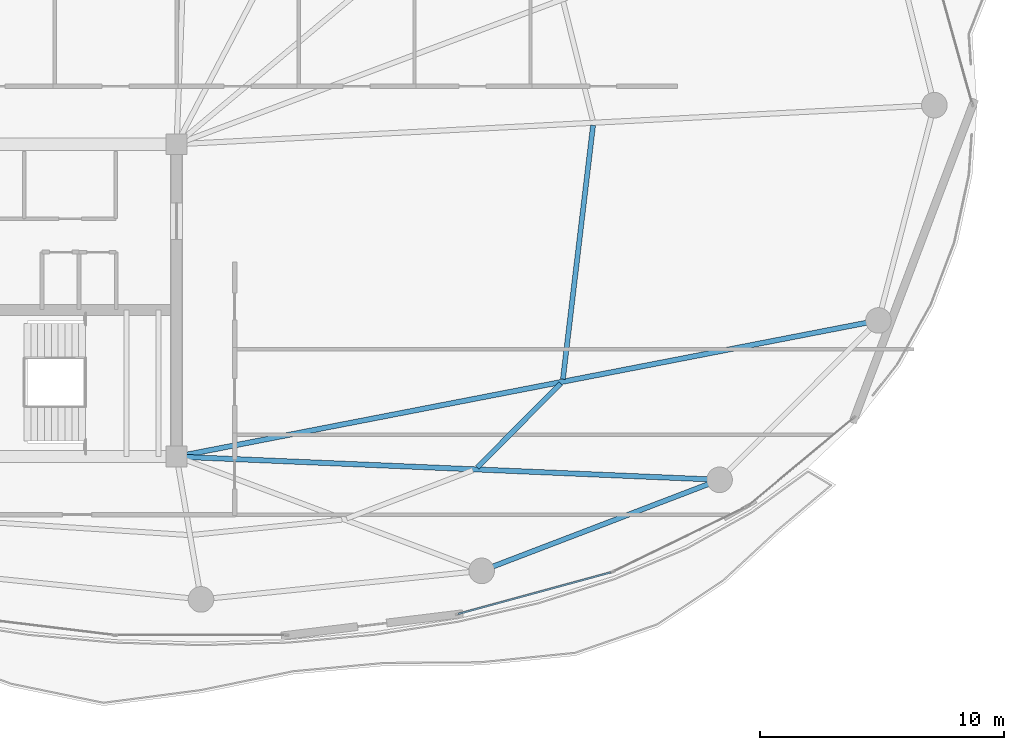
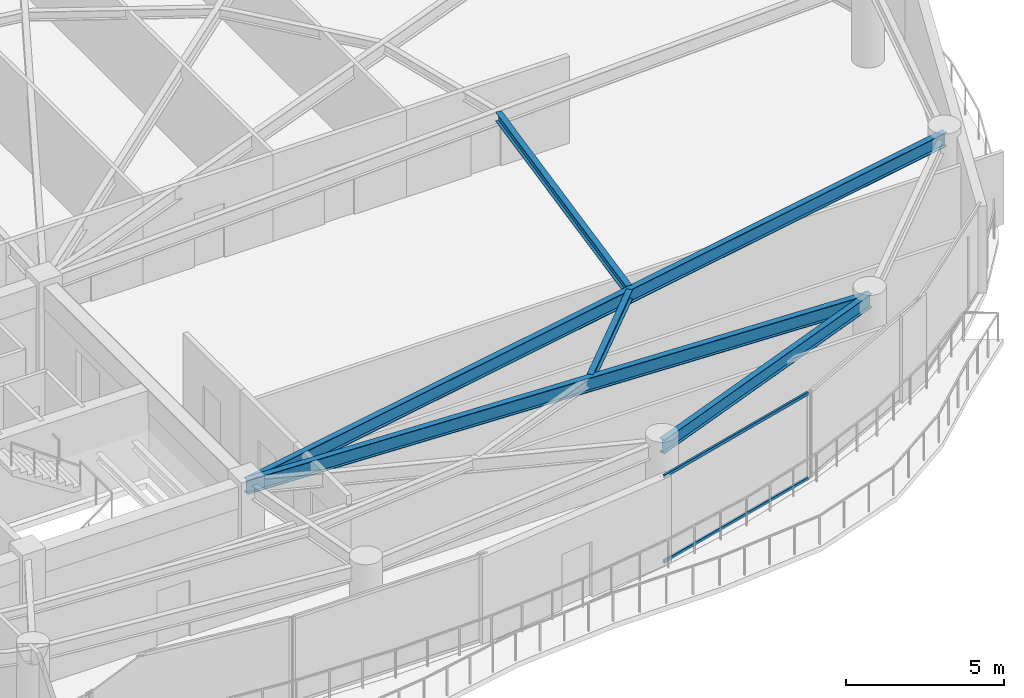
# One storey, part 11 of 28: 5 beams, 2 members, 1 element without a shape of its own.
"""IFC4 building model written with IfcOpenShell, lengths in metres."""

from ifc_helpers import new_model, si_unit, direction, frame, origin, origin_2d, place, context, subcontext, project, spatial, hollow_rectangle, i_section, extrude, material, layer, layer_set, material_profile, profile_set, type_object, element, aggregate, save


model = new_model("IFC4")

# Units and contexts
model_context = context("Model", 3, precision=1e-05, world=origin(), true_north=direction((0.0, 1.0)))
body_context = subcontext(model_context, "Body", "Model", "MODEL_VIEW")
ifc_project = project(units=[si_unit("LENGTHUNIT", "METRE"), si_unit("AREAUNIT", "SQUARE_METRE"), si_unit("VOLUMEUNIT", "CUBIC_METRE"), si_unit("PLANEANGLEUNIT", "RADIAN"), si_unit("MASSUNIT", "GRAM", prefix="KILO")], contexts=[model_context])

# Site, building, storey
site_placement = place(None, origin())
site = spatial("IfcSite", under=ifc_project, at=site_placement, CompositionType="ELEMENT")
building_placement = place(site_placement, origin())
building = spatial("IfcBuilding", under=site, at=building_placement, Name="Kazevale Care Tower and Concert Hall", CompositionType="ELEMENT")
storey_placement = place(building_placement, frame((0.0, 0.0, 228.0)))
storey = spatial("IfcBuildingStorey", under=building, at=storey_placement, Name="L60", CompositionType="ELEMENT", Elevation=228.0)

# Curtain wall, members
ifc_material_1 = material(Name="Aluminium 6063-T6 and Low-E Glass", Category="aluminium")
ifc_layer = layer(ifc_material_1, 0.179931640625)
ifc_layer_set = layer_set([ifc_layer], Name="Aluminium 6063-T6 and Low-E Glass")
curtain_wall_type = type_object("IfcCurtainWallType", Name="Sheltered Concave Balcony Curtain Wall CW-5", PredefinedType="NOTDEFINED", material=ifc_layer_set)
curtain_wall_placement = place(storey_placement, origin())
curtain_wall = element("IfcCurtainWall", 1, at=curtain_wall_placement, inside=storey, type_object=curtain_wall_type, Name="cw:L60:f04", PredefinedType="NOTDEFINED")
ifc_material_2 = material(Name="Aluminium 6063-T6", Category="aluminium")
ifc_material_profile_1 = material_profile(ifc_material_2, hollow_rectangle(XDim=0.074951171875, YDim=0.1201171875, WallThickness=0.00390625, at=origin_2d()), Name="ALU75x120x4")
ifc_profile_set_1 = profile_set([ifc_material_profile_1], Name="Aluminium 6063-T6")
member_type = type_object("IfcMemberType", Name="CW-5 Transom ALU75x120x4", PredefinedType="USERDEFINED", material=ifc_profile_set_1)
member_1_placement = place(storey_placement, frame((61.78369140625, 18.853271484375, 0.03759765625), z_axis=(-0.964843890632, -0.262823641842, 0.0), x_axis=(0.262823641842, -0.964843890632, 0.0)))
member_1 = element("IfcMember", 2, at=member_1_placement, type_object=member_type, Name="CW-5 transom 1.1", ObjectType="TRANSOM", PredefinedType="USERDEFINED", context=body_context, shape_type="SweptSolid", body=[
    extrude(hollow_rectangle(XDim=0.074951171875, YDim=0.1201171875, WallThickness=0.00390625, at=origin_2d()), origin(), (0.0, 0.0, 1.0), 6.469970703125),
])
member_2_placement = place(storey_placement, frame((61.78369140625, 18.853271484375, 3.322509765625), z_axis=(-0.964843890632, -0.262823641842, 0.0), x_axis=(0.262823641842, -0.964843890632, 0.0)))
member_2 = element("IfcMember", 3, at=member_2_placement, type_object=member_type, Name="CW-5 transom 1.2", ObjectType="TRANSOM", PredefinedType="USERDEFINED", context=body_context, shape_type="SweptSolid", body=[
    extrude(hollow_rectangle(XDim=0.074951171875, YDim=0.1201171875, WallThickness=0.00390625, at=origin_2d()), origin(), (0.0, 0.0, 1.0), 6.469970703125),
])
aggregate(curtain_wall, [member_1, member_2])

# Beams
ifc_material_3 = material(Name="Steel ASTM A572 Gr 50", Category="steel")
ifc_material_profile_2 = material_profile(ifc_material_3, i_section(OverallWidth=0.2119140625, OverallDepth=0.5439453125, WebThickness=0.01318359375, FlangeThickness=0.021240234375, at=origin_2d()), Name="W530x123")
ifc_profile_set_2 = profile_set([ifc_material_profile_2], Name="Steel ASTM A572 Gr 50")
beam_type_1 = type_object("IfcBeamType", Name="Radial Floor Girder W530x123", PredefinedType="BEAM", material=ifc_profile_set_2)
beam_1_placement = place(storey_placement, frame((44.0, 23.60009765625, 3.087890625), z_axis=(0.999089369477, -0.042666518456, 0.0), x_axis=(0.042666518456, 0.999089369477, 0.0)))
element("IfcBeam", 4, at=beam_1_placement, inside=storey, type_object=beam_type_1, Name="beam:L60:rad:15", PredefinedType="BEAM", context=body_context, shape_type="SweptSolid", body=[
    extrude(i_section(OverallWidth=0.2119140625, OverallDepth=0.5439453125, WebThickness=0.01318359375, FlangeThickness=0.021240234375, at=origin_2d()), origin(), (0.0, 0.0, 1.0), 22.270263671875),
])
beam_2_placement = place(storey_placement, frame((44.0, 23.60009765625, 3.087890625), z_axis=(0.981694544574, 0.190462125247, 0.0), x_axis=(-0.190462125247, 0.981694544574, 0.0)))
element("IfcBeam", 5, at=beam_2_placement, inside=storey, type_object=beam_type_1, Name="beam:L60:rad:16", PredefinedType="BEAM", context=body_context, shape_type="SweptSolid", body=[
    extrude(i_section(OverallWidth=0.2119140625, OverallDepth=0.5439453125, WebThickness=0.01318359375, FlangeThickness=0.021240234375, at=origin_2d()), origin(), (0.0, 0.0, 1.0), 29.29638671875),
])
ifc_material_profile_3 = material_profile(ifc_material_3, i_section(OverallWidth=0.205078125, OverallDepth=0.35400390625, WebThickness=0.009521484375, FlangeThickness=0.016845703125, at=origin_2d()), Name="W360x79")
ifc_profile_set_3 = profile_set([ifc_material_profile_3], Name="Steel ASTM A572 Gr 50")
beam_type_2 = type_object("IfcBeamType", Name="Secondary Floor Joist W360x79", PredefinedType="JOIST", material=ifc_profile_set_3)
beam_3_placement = place(storey_placement, frame((56.31201171875, 23.152099609375, 3.18310546875), z_axis=(0.705975874919, 0.708235881633, 0.0), x_axis=(-0.708235881633, 0.705975874919, 0.0)))
element("IfcBeam", 6, at=beam_3_placement, inside=storey, type_object=beam_type_2, Name="beam:L60:joist:15", PredefinedType="JOIST", context=body_context, shape_type="SweptSolid", body=[
    extrude(i_section(OverallWidth=0.205078125, OverallDepth=0.35400390625, WebThickness=0.009521484375, FlangeThickness=0.016845703125, at=origin_2d()), origin(), (0.0, 0.0, 1.0), 4.861083984375),
])
beam_4_placement = place(storey_placement, frame((59.830078125, 26.77294921875, 3.18310546875), z_axis=(0.117874218468, 0.993028533639, 0.0), x_axis=(-0.993028533639, 0.117874218468, 0.0)))
element("IfcBeam", 7, at=beam_4_placement, inside=storey, type_object=beam_type_2, Name="beam:L60:joist:16", PredefinedType="JOIST", context=body_context, shape_type="SweptSolid", body=[
    extrude(i_section(OverallWidth=0.205078125, OverallDepth=0.35400390625, WebThickness=0.009521484375, FlangeThickness=0.016845703125, at=origin_2d()), origin(), (0.0, 0.0, 1.0), 10.47607421875),
])
ifc_material_profile_4 = material_profile(ifc_material_3, i_section(OverallWidth=0.208984375, OverallDepth=0.532958984375, WebThickness=0.01025390625, FlangeThickness=0.015625, at=origin_2d()), Name="W530x92")
ifc_profile_set_4 = profile_set([ifc_material_profile_4], Name="Steel ASTM A572 Gr 50")
beam_type_3 = type_object("IfcBeamType", Name="Upper Ring Beam W530x92", PredefinedType="BEAM", material=ifc_profile_set_4)
beam_5_placement = place(storey_placement, frame((56.5, 18.919921875, 3.093505859375), z_axis=(0.933986653173, 0.357307894811, 0.0), x_axis=(-0.357307894811, 0.933986653173, 0.0)))
element("IfcBeam", 8, at=beam_5_placement, inside=storey, type_object=beam_type_3, Name="beam:L60:ring:14", PredefinedType="BEAM", context=body_context, shape_type="SweptSolid", body=[
    extrude(i_section(OverallWidth=0.208984375, OverallDepth=0.532958984375, WebThickness=0.01025390625, FlangeThickness=0.015625, at=origin_2d()), origin(), (0.0, 0.0, 1.0), 10.439208984375),
])

save(model, "model.ifc")
